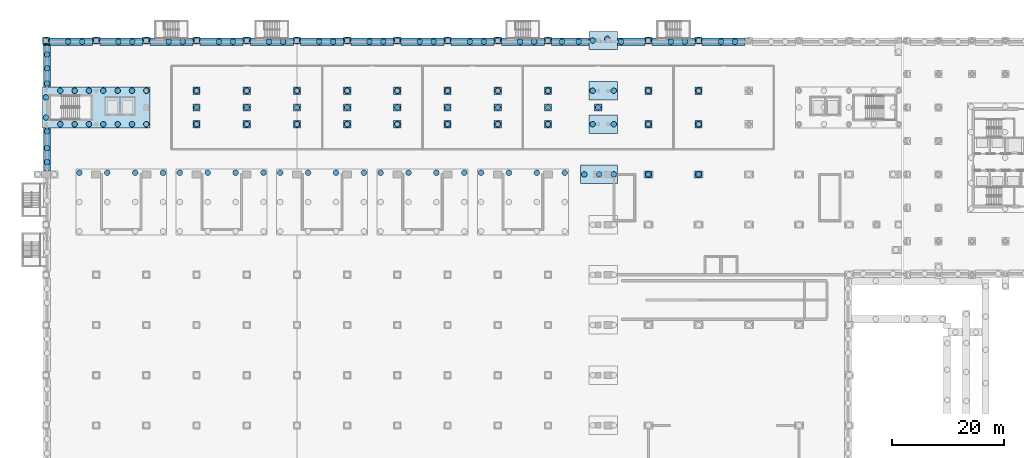
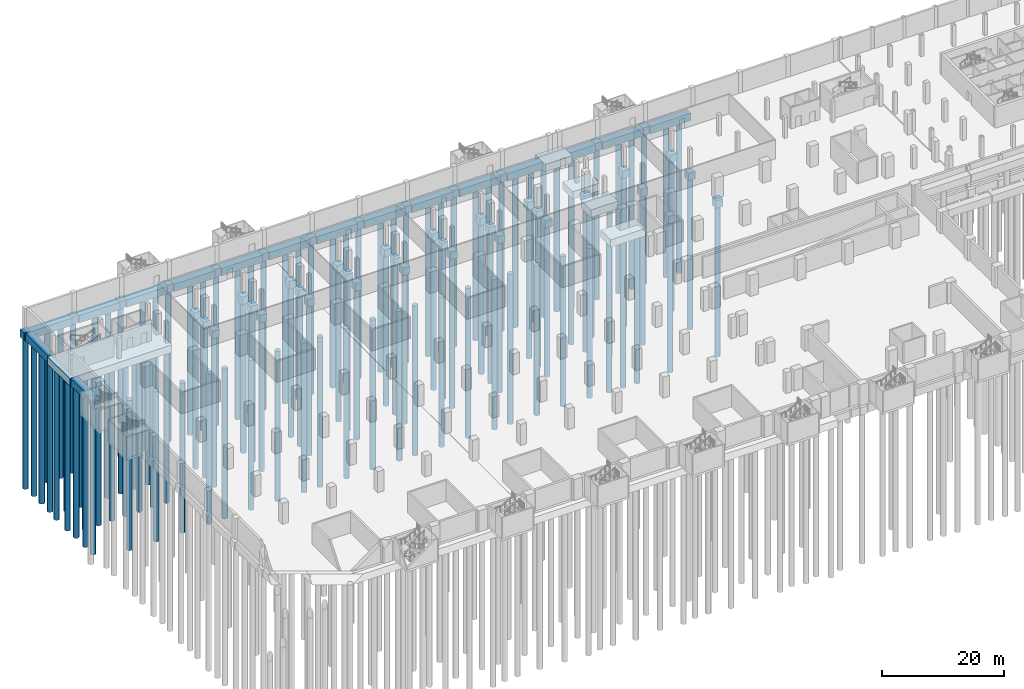
# One storey, part 3 of 29: 122 piles, 66 footings.
"""IFC4 building model written with IfcOpenShell, lengths in metres."""

from ifc_helpers import new_model, si_unit, direction, frame, origin, origin_2d, place, context, subcontext, project, spatial, rectangle, circle, extrude, material, material_profile, profile_set, type_object, element, save


model = new_model("IFC4")

# Units and contexts
model_context = context("Model", 3, precision=1e-05, world=origin(), true_north=direction((0.0, 1.0)))
body_context = subcontext(model_context, "Body", "Model", "MODEL_VIEW")
ifc_project = project(units=[si_unit("LENGTHUNIT", "METRE"), si_unit("AREAUNIT", "SQUARE_METRE"), si_unit("VOLUMEUNIT", "CUBIC_METRE"), si_unit("PLANEANGLEUNIT", "RADIAN"), si_unit("MASSUNIT", "GRAM", prefix="KILO")], contexts=[model_context])

# Site, building, storey
site_placement = place(None, origin())
site = spatial("IfcSite", under=ifc_project, at=site_placement, CompositionType="ELEMENT")
building_placement = place(site_placement, origin())
building = spatial("IfcBuilding", under=site, at=building_placement, Name="Aravalli Gate Trade Fair Centre", CompositionType="ELEMENT")
storey_placement = place(building_placement, frame((0.0, 0.0, -8.39990234375)))
storey = spatial("IfcBuildingStorey", under=building, at=storey_placement, Name="B2", CompositionType="ELEMENT", Elevation=-8.39990234375)

# Piles
ifc_material = material(Name="Concrete M35", Category="concrete")
ifc_material_profile = material_profile(ifc_material, circle(Radius=0.5, at=origin_2d()), Name="D1000")
ifc_profile_set = profile_set([ifc_material_profile], Name="Concrete M35")
pile_type = type_object("IfcPileType", Name="Basement bored pile D1000", PredefinedType="BORED", material=ifc_profile_set)
for number, where, z_axis, x_axis, name in (
    (1, (12.0, 109.300048828125, -1.900146484375), (0.0, 0.0, -1.0), (1.0, 0.0, 0.0), "Basement bored pile W193-03"),
    (2, (17.0, 109.300048828125, -1.900146484375), (0.0, 0.0, -1.0), (1.0, 0.0, 0.0), "Basement bored pile W193-06"),
    (3, (22.0, 109.300048828125, -1.900146484375), (0.0, 0.0, -1.0), (1.0, 0.0, 0.0), "Basement bored pile W193-09"),
    (4, (27.0, 109.300048828125, -1.900146484375), (0.0, 0.0, -1.0), (1.0, 0.0, 0.0), "Basement bored pile W193-12"),
    (5, (30.0, 109.300048828125, -1.900146484375), (0.0, 0.0, -1.0), (1.0, 0.0, 0.0), "Basement bored pile W194-03"),
    (6, (35.0, 109.300048828125, -1.900146484375), (0.0, 0.0, -1.0), (1.0, 0.0, 0.0), "Basement bored pile W194-06"),
    (7, (40.0, 109.300048828125, -1.900146484375), (0.0, 0.0, -1.0), (1.0, 0.0, 0.0), "Basement bored pile W194-09"),
    (8, (45.0, 109.300048828125, -1.900146484375), (0.0, 0.0, -1.0), (1.0, 0.0, 0.0), "Basement bored pile W194-12"),
    (9, (48.0, 109.300048828125, -1.900146484375), (0.0, 0.0, -1.0), (1.0, 0.0, 0.0), "Basement bored pile W195-03"),
    (10, (53.0, 109.300048828125, -1.900146484375), (0.0, 0.0, -1.0), (1.0, 0.0, 0.0), "Basement bored pile W195-06"),
    (11, (58.0, 109.300048828125, -1.900146484375), (0.0, 0.0, -1.0), (1.0, 0.0, 0.0), "Basement bored pile W195-09"),
    (12, (63.0, 109.300048828125, -1.900146484375), (0.0, 0.0, -1.0), (1.0, 0.0, 0.0), "Basement bored pile W195-12"),
    (13, (66.0, 109.300048828125, -1.900146484375), (0.0, 0.0, -1.0), (1.0, 0.0, 0.0), "Basement bored pile W196-03"),
    (14, (71.0, 109.300048828125, -1.900146484375), (0.0, 0.0, -1.0), (1.0, 0.0, 0.0), "Basement bored pile W196-06"),
    (15, (76.0, 109.300048828125, -1.900146484375), (0.0, 0.0, -1.0), (1.0, 0.0, 0.0), "Basement bored pile W196-09"),
    (16, (81.0, 109.300048828125, -1.900146484375), (0.0, 0.0, -1.0), (1.0, 0.0, 0.0), "Basement bored pile W196-12"),
    (17, (84.0, 109.300048828125, -1.900146484375), (0.0, 0.0, -1.0), (1.0, 0.0, 0.0), "Basement bored pile W197-03"),
    (18, (89.0, 109.300048828125, -1.900146484375), (0.0, 0.0, -1.0), (1.0, 0.0, 0.0), "Basement bored pile W197-06"),
    (19, (94.0, 109.300048828125, -1.900146484375), (0.0, 0.0, -1.0), (1.0, 0.0, 0.0), "Basement bored pile W197-09"),
    (20, (99.0, 109.300048828125, -1.900146484375), (0.0, 0.0, -1.0), (1.0, 0.0, 0.0), "Basement bored pile W197-12"),
    (21, (102.5, 109.0, -1.900146484375), (0.0, 0.0, -1.0), (1.0, 0.0, 0.0), "Basement bored pile W208-01"),
    (22, (105.14990234375, 109.0, -1.900146484375), (0.0, 0.0, -1.0), (1.0, 0.0, 0.0), "Basement bored pile W208-02"),
    (23, (107.800048828125, 109.0, -1.900146484375), (0.0, 0.0, -1.0), (1.0, 0.0, 0.0), "Basement bored pile W208-03"),
    (24, (114.0, 109.0, -1.900146484375), (0.0, 0.0, -1.0), (1.0, 0.0, 0.0), "Basement bored pile W210-01"),
    (25, (123.0, 109.0, -1.900146484375), (0.0, 0.0, -1.0), (1.0, 0.0, 0.0), "Basement bored pile W211-01"),
    (26, (6.199951171875, 111.199951171875, -1.900146484375), (0.0, 0.0, -1.0), (1.0, 0.0, 0.0), "Basement bored pile W216-01"),
    (27, (6.199951171875, 113.699951171875, -1.900146484375), (0.0, 0.0, -1.0), (1.0, 0.0, 0.0), "Basement bored pile W216-02"),
    (28, (6.199951171875, 116.699951171875, -1.900146484375), (0.0, 0.0, -1.0), (1.0, 0.0, 0.0), "Basement bored pile W216-03"),
    (29, (104.0, 118.0, -1.900146484375), (0.0, 0.0, -1.0), (1.0, 0.0, 0.0), "Basement bored pile W217-01"),
    (30, (107.800048828125, 118.0, -1.900146484375), (0.0, 0.0, -1.0), (1.0, 0.0, 0.0), "Basement bored pile W217-02"),
    (31, (6.0, 119.199951171875, -1.900146484375), (0.0, 0.0, -1.0), (1.0, 0.0, 0.0), "Basement bored pile W218-01"),
    (32, (6.0, 122.800048828125, -1.900146484375), (0.0, 0.0, -1.0), (1.0, 0.0, 0.0), "Basement bored pile W218-02"),
    (33, (8.5712890625, 118.0, -1.900146484375), (0.0, 0.0, -1.0), (1.0, 0.0, 0.0), "Basement bored pile W218-03"),
    (34, (8.5712890625, 124.0, -1.900146484375), (0.0, 0.0, -1.0), (1.0, 0.0, 0.0), "Basement bored pile W218-04"),
    (35, (11.142822265625, 118.0, -1.900146484375), (0.0, 0.0, -1.0), (1.0, 0.0, 0.0), "Basement bored pile W218-05"),
    (36, (11.142822265625, 124.0, -1.900146484375), (0.0, 0.0, -1.0), (1.0, 0.0, 0.0), "Basement bored pile W218-06"),
    (37, (13.71435546875, 118.0, -1.900146484375), (0.0, 0.0, -1.0), (1.0, 0.0, 0.0), "Basement bored pile W218-07"),
    (38, (13.71435546875, 124.0, -1.900146484375), (0.0, 0.0, -1.0), (1.0, 0.0, 0.0), "Basement bored pile W218-08"),
    (39, (16.28564453125, 118.0, -1.900146484375), (0.0, 0.0, -1.0), (1.0, 0.0, 0.0), "Basement bored pile W218-09"),
    (40, (16.28564453125, 124.0, -1.900146484375), (0.0, 0.0, -1.0), (1.0, 0.0, 0.0), "Basement bored pile W218-10"),
    (41, (18.857177734375, 118.0, -1.900146484375), (0.0, 0.0, -1.0), (1.0, 0.0, 0.0), "Basement bored pile W218-11"),
    (42, (18.857177734375, 124.0, -1.900146484375), (0.0, 0.0, -1.0), (1.0, 0.0, 0.0), "Basement bored pile W218-12"),
    (43, (21.4287109375, 118.0, -1.900146484375), (0.0, 0.0, -1.0), (1.0, 0.0, 0.0), "Basement bored pile W218-13"),
    (44, (21.4287109375, 124.0, -1.900146484375), (0.0, 0.0, -1.0), (1.0, 0.0, 0.0), "Basement bored pile W218-14"),
    (45, (24.0, 118.0, -1.900146484375), (0.0, 0.0, -1.0), (1.0, 0.0, 0.0), "Basement bored pile W218-15"),
    (46, (24.0, 124.0, -1.900146484375), (0.0, 0.0, -1.0), (1.0, 0.0, 0.0), "Basement bored pile W218-16"),
    (47, (33.0, 118.0, -1.900146484375), (0.0, 0.0, -1.0), (1.0, 0.0, 0.0), "Basement bored pile W219-01"),
    (48, (42.0, 118.0, -1.900146484375), (0.0, 0.0, -1.0), (1.0, 0.0, 0.0), "Basement bored pile W220-01"),
    (49, (51.0, 118.0, -1.900146484375), (0.0, 0.0, -1.0), (1.0, 0.0, 0.0), "Basement bored pile W221-01"),
    (50, (60.0, 118.0, -1.900146484375), (0.0, 0.0, -1.0), (1.0, 0.0, 0.0), "Basement bored pile W222-01"),
    (51, (69.0, 118.0, -1.900146484375), (0.0, 0.0, -1.0), (1.0, 0.0, 0.0), "Basement bored pile W223-01"),
    (52, (78.0, 118.0, -1.900146484375), (0.0, 0.0, -1.0), (1.0, 0.0, 0.0), "Basement bored pile W224-01"),
    (53, (87.0, 118.0, -1.900146484375), (0.0, 0.0, -1.0), (1.0, 0.0, 0.0), "Basement bored pile W225-01"),
    (54, (96.0, 118.0, -1.900146484375), (0.0, 0.0, -1.0), (1.0, 0.0, 0.0), "Basement bored pile W226-01"),
    (55, (114.0, 118.0, -1.900146484375), (0.0, 0.0, -1.0), (1.0, 0.0, 0.0), "Basement bored pile W227-01"),
    (56, (123.0, 118.0, -1.900146484375), (0.0, 0.0, -1.0), (1.0, 0.0, 0.0), "Basement bored pile W228-01"),
    (57, (33.0, 121.0, -1.900146484375), (0.0, 0.0, -1.0), (1.0, 0.0, 0.0), "Basement bored pile W231-01"),
    (58, (42.0, 121.0, -1.900146484375), (0.0, 0.0, -1.0), (1.0, 0.0, 0.0), "Basement bored pile W232-01"),
    (59, (51.0, 121.0, -1.900146484375), (0.0, 0.0, -1.0), (1.0, 0.0, 0.0), "Basement bored pile W233-01"),
    (60, (60.0, 121.0, -1.900146484375), (0.0, 0.0, -1.0), (1.0, 0.0, 0.0), "Basement bored pile W234-01"),
    (61, (69.0, 121.0, -1.900146484375), (0.0, 0.0, -1.0), (1.0, 0.0, 0.0), "Basement bored pile W235-01"),
    (62, (78.0, 121.0, -1.900146484375), (0.0, 0.0, -1.0), (1.0, 0.0, 0.0), "Basement bored pile W236-01"),
    (63, (87.0, 121.0, -1.900146484375), (0.0, 0.0, -1.0), (1.0, 0.0, 0.0), "Basement bored pile W237-01"),
    (64, (96.0, 121.0, -1.900146484375), (0.0, 0.0, -1.0), (1.0, 0.0, 0.0), "Basement bored pile W238-01"),
    (65, (105.0, 121.0, -1.900146484375), (0.0, 0.0, -1.0), (1.0, 0.0, 0.0), "Basement bored pile W239-01"),
    (66, (104.0, 124.0, -1.900146484375), (0.0, 0.0, -1.0), (1.0, 0.0, 0.0), "Basement bored pile W240-01"),
    (67, (107.800048828125, 124.0, -1.900146484375), (0.0, 0.0, -1.0), (1.0, 0.0, 0.0), "Basement bored pile W240-02"),
    (68, (33.0, 124.0, -1.900146484375), (0.0, 0.0, -1.0), (1.0, 0.0, 0.0), "Basement bored pile W241-01"),
    (69, (42.0, 124.0, -1.900146484375), (0.0, 0.0, -1.0), (1.0, 0.0, 0.0), "Basement bored pile W242-01"),
    (70, (51.0, 124.0, -1.900146484375), (0.0, 0.0, -1.0), (1.0, 0.0, 0.0), "Basement bored pile W243-01"),
    (71, (60.0, 124.0, -1.900146484375), (0.0, 0.0, -1.0), (1.0, 0.0, 0.0), "Basement bored pile W244-01"),
    (72, (69.0, 124.0, -1.900146484375), (0.0, 0.0, -1.0), (1.0, 0.0, 0.0), "Basement bored pile W245-01"),
    (73, (78.0, 124.0, -1.900146484375), (0.0, 0.0, -1.0), (1.0, 0.0, 0.0), "Basement bored pile W246-01"),
    (74, (87.0, 124.0, -1.900146484375), (0.0, 0.0, -1.0), (1.0, 0.0, 0.0), "Basement bored pile W247-01"),
    (75, (96.0, 124.0, -1.900146484375), (0.0, 0.0, -1.0), (1.0, 0.0, 0.0), "Basement bored pile W248-01"),
    (76, (114.0, 124.0, -1.900146484375), (0.0, 0.0, -1.0), (1.0, 0.0, 0.0), "Basement bored pile W249-01"),
    (77, (123.0, 124.0, -1.900146484375), (0.0, 0.0, -1.0), (1.0, 0.0, 0.0), "Basement bored pile W250-01"),
    (78, (6.199951171875, 125.300048828125, -1.900146484375), (0.0, 0.0, -1.0), (1.0, 0.0, 0.0), "Basement bored pile W252-01"),
    (79, (6.199951171875, 128.0, -1.900146484375), (0.0, 0.0, -1.0), (1.0, 0.0, 0.0), "Basement bored pile W252-02"),
    (80, (6.199951171875, 130.5, -1.900146484375), (0.0, 0.0, -1.0), (1.0, 0.0, 0.0), "Basement bored pile W252-03"),
    (81, (104.0, 133.0, -1.900146484375), (0.0, 0.0, -1.0), (1.0, 0.0, 0.0), "Basement bored pile W259-01"),
    (82, (106.64990234375, 133.300048828125, -1.900146484375), (0.0, 0.0, -1.0), (1.0, 0.0, 0.0), "Basement bored pile W259-02"),
    (83, (10.0, 132.800048828125, -1.900146484375), (0.0, 0.0, -1.0), (1.0, 0.0, 0.0), "Basement bored pile W260-01"),
    (84, (12.5, 132.800048828125, -1.900146484375), (0.0, 0.0, -1.0), (1.0, 0.0, 0.0), "Basement bored pile W260-02"),
    (85, (19.0, 132.800048828125, -1.900146484375), (0.0, 0.0, -1.0), (1.0, 0.0, 0.0), "Basement bored pile W261-01"),
    (86, (21.5, 132.800048828125, -1.900146484375), (0.0, 0.0, -1.0), (1.0, 0.0, 0.0), "Basement bored pile W261-02"),
    (87, (28.0, 132.800048828125, -1.900146484375), (0.0, 0.0, -1.0), (1.0, 0.0, 0.0), "Basement bored pile W262-01"),
    (88, (30.5, 132.800048828125, -1.900146484375), (0.0, 0.0, -1.0), (1.0, 0.0, 0.0), "Basement bored pile W262-02"),
    (89, (37.0, 132.800048828125, -1.900146484375), (0.0, 0.0, -1.0), (1.0, 0.0, 0.0), "Basement bored pile W263-01"),
    (90, (39.5, 132.800048828125, -1.900146484375), (0.0, 0.0, -1.0), (1.0, 0.0, 0.0), "Basement bored pile W263-02"),
    (91, (46.0, 132.800048828125, -1.900146484375), (0.0, 0.0, -1.0), (1.0, 0.0, 0.0), "Basement bored pile W264-01"),
    (92, (48.5, 132.800048828125, -1.900146484375), (0.0, 0.0, -1.0), (1.0, 0.0, 0.0), "Basement bored pile W264-02"),
    (93, (55.0, 132.800048828125, -1.900146484375), (0.0, 0.0, -1.0), (1.0, 0.0, 0.0), "Basement bored pile W265-01"),
    (94, (57.5, 132.800048828125, -1.900146484375), (0.0, 0.0, -1.0), (1.0, 0.0, 0.0), "Basement bored pile W265-02"),
    (95, (64.0, 132.800048828125, -1.900146484375), (0.0, 0.0, -1.0), (1.0, 0.0, 0.0), "Basement bored pile W266-01"),
    (96, (66.5, 132.800048828125, -1.900146484375), (0.0, 0.0, -1.0), (1.0, 0.0, 0.0), "Basement bored pile W266-02"),
    (97, (73.0, 132.800048828125, -1.900146484375), (0.0, 0.0, -1.0), (1.0, 0.0, 0.0), "Basement bored pile W267-01"),
    (98, (75.5, 132.800048828125, -1.900146484375), (0.0, 0.0, -1.0), (1.0, 0.0, 0.0), "Basement bored pile W267-02"),
    (99, (82.0, 132.800048828125, -1.900146484375), (0.0, 0.0, -1.0), (1.0, 0.0, 0.0), "Basement bored pile W268-01"),
    (100, (84.5, 132.800048828125, -1.900146484375), (0.0, 0.0, -1.0), (1.0, 0.0, 0.0), "Basement bored pile W268-02"),
    (101, (91.0, 132.800048828125, -1.900146484375), (0.0, 0.0, -1.0), (1.0, 0.0, 0.0), "Basement bored pile W269-01"),
    (102, (93.5, 132.800048828125, -1.900146484375), (0.0, 0.0, -1.0), (1.0, 0.0, 0.0), "Basement bored pile W269-02"),
    (103, (98.5, 132.800048828125, -1.900146484375), (0.0, 0.0, -1.0), (1.0, 0.0, 0.0), "Basement bored pile W270-01"),
    (104, (101.5, 132.800048828125, -1.900146484375), (0.0, 0.0, -1.0), (1.0, 0.0, 0.0), "Basement bored pile W270-02"),
    (105, (109.10009765625, 132.800048828125, -1.900146484375), (0.0, 0.0, -1.0), (1.0, 0.0, 0.0), "Basement bored pile W271-01"),
    (106, (118.0, 132.800048828125, -1.900146484375), (0.0, 0.0, -1.0), (1.0, 0.0, 0.0), "Basement bored pile W272-01"),
    (107, (120.5, 132.800048828125, -1.900146484375), (0.0, 0.0, -1.0), (1.0, 0.0, 0.0), "Basement bored pile W272-02"),
    (108, (127.0, 132.800048828125, -1.900146484375), (0.0, 0.0, -1.0), (1.0, 0.0, 0.0), "Basement bored pile W273-01"),
    (109, (129.5, 132.800048828125, -1.900146484375), (0.0, 0.0, -1.0), (1.0, 0.0, 0.0), "Basement bored pile W273-02"),
    (110, (6.0, 133.0, -1.900146484375), (0.0, 0.0, -1.0), (1.0, 0.0, 0.0), "Basement bored pile W277-01"),
    (111, (15.0, 133.0, -1.900146484375), (0.0, 0.0, -1.0), (1.0, 0.0, 0.0), "Basement bored pile W278-01"),
    (112, (24.0, 133.0, -1.900146484375), (0.0, 0.0, -1.0), (1.0, 0.0, 0.0), "Basement bored pile W279-01"),
    (113, (33.0, 133.0, -1.900146484375), (0.0, 0.0, -1.0), (1.0, 0.0, 0.0), "Basement bored pile W280-01"),
    (114, (42.0, 133.0, -1.900146484375), (0.0, 0.0, -1.0), (1.0, 0.0, 0.0), "Basement bored pile W281-01"),
    (115, (51.0, 133.0, -1.900146484375), (0.0, 0.0, -1.0), (1.0, 0.0, 0.0), "Basement bored pile W282-01"),
    (116, (60.0, 133.0, -1.900146484375), (0.0, 0.0, -1.0), (1.0, 0.0, 0.0), "Basement bored pile W283-01"),
    (117, (69.0, 133.0, -1.900146484375), (0.0, 0.0, -1.0), (1.0, 0.0, 0.0), "Basement bored pile W284-01"),
    (118, (78.0, 133.0, -1.900146484375), (0.0, 0.0, -1.0), (1.0, 0.0, 0.0), "Basement bored pile W285-01"),
    (119, (87.0, 133.0, -1.900146484375), (0.0, 0.0, -1.0), (1.0, 0.0, 0.0), "Basement bored pile W286-01"),
    (120, (96.0, 133.0, -1.900146484375), (0.0, 0.0, -1.0), (1.0, 0.0, 0.0), "Basement bored pile W287-01"),
    (121, (114.0, 133.0, -1.900146484375), (0.0, 0.0, -1.0), (1.0, 0.0, 0.0), "Basement bored pile W288-01"),
    (122, (123.0, 133.0, -1.900146484375), (0.0, 0.0, -1.0), (1.0, 0.0, 0.0), "Basement bored pile W289-01"),
):
    element("IfcPile", number, at=place(storey_placement, frame(where, z_axis=z_axis, x_axis=x_axis)), inside=storey, type_object=pile_type, Name=name, PredefinedType="BORED", context=body_context, shape_type="SweptSolid", body=[
        extrude(circle(Radius=0.5, at=origin_2d()), origin(), (0.0, 0.0, 1.0), 30.0),
    ])

# Footings
footing_type_1 = type_object("IfcFootingType", Name="Basement ground beam 1.1 x 0.2", PredefinedType="FOOTING_BEAM", material=ifc_material)
footing_1_placement = place(storey_placement, frame((6.10009765625, 132.25, -1.900146484375), z_axis=(0.0, 0.0, 1.0), x_axis=(1.0, 0.0, 0.0)))
element("IfcFooting", 123, at=footing_1_placement, inside=storey, type_object=footing_type_1, Name="Basement pile cap W304", PredefinedType="FOOTING_BEAM", context=body_context, shape_type="SweptSolid", body=[
    extrude(rectangle(XDim=1.10009765625, YDim=0.199951171875, at=origin_2d()), origin(), (0.0, 0.0, 1.0), 1.5),
])
footing_type_2 = type_object("IfcFootingType", Name="Basement pile cap 1.3 x 1.3 (1 x 1 piles)", PredefinedType="PILE_CAP", material=ifc_material)
for number, where, z_axis, x_axis, name in (
    (124, (114.0, 109.0, -1.900146484375), (0.0, 0.0, 1.0), (1.0, 0.0, 0.0), "Basement pile cap W210"),
    (125, (123.0, 109.0, -1.900146484375), (0.0, 0.0, 1.0), (1.0, 0.0, 0.0), "Basement pile cap W211"),
    (126, (33.0, 118.0, -1.900146484375), (0.0, 0.0, 1.0), (1.0, 0.0, 0.0), "Basement pile cap W219"),
    (127, (42.0, 118.0, -1.900146484375), (0.0, 0.0, 1.0), (1.0, 0.0, 0.0), "Basement pile cap W220"),
    (128, (51.0, 118.0, -1.900146484375), (0.0, 0.0, 1.0), (1.0, 0.0, 0.0), "Basement pile cap W221"),
    (129, (60.0, 118.0, -1.900146484375), (0.0, 0.0, 1.0), (1.0, 0.0, 0.0), "Basement pile cap W222"),
    (130, (69.0, 118.0, -1.900146484375), (0.0, 0.0, 1.0), (1.0, 0.0, 0.0), "Basement pile cap W223"),
    (131, (78.0, 118.0, -1.900146484375), (0.0, 0.0, 1.0), (1.0, 0.0, 0.0), "Basement pile cap W224"),
    (132, (87.0, 118.0, -1.900146484375), (0.0, 0.0, 1.0), (1.0, 0.0, 0.0), "Basement pile cap W225"),
    (133, (96.0, 118.0, -1.900146484375), (0.0, 0.0, 1.0), (1.0, 0.0, 0.0), "Basement pile cap W226"),
    (134, (114.0, 118.0, -1.900146484375), (0.0, 0.0, 1.0), (1.0, 0.0, 0.0), "Basement pile cap W227"),
    (135, (123.0, 118.0, -1.900146484375), (0.0, 0.0, 1.0), (1.0, 0.0, 0.0), "Basement pile cap W228"),
    (136, (33.0, 121.0, -1.900146484375), (0.0, 0.0, 1.0), (1.0, 0.0, 0.0), "Basement pile cap W231"),
    (137, (42.0, 121.0, -1.900146484375), (0.0, 0.0, 1.0), (1.0, 0.0, 0.0), "Basement pile cap W232"),
    (138, (51.0, 121.0, -1.900146484375), (0.0, 0.0, 1.0), (1.0, 0.0, 0.0), "Basement pile cap W233"),
    (139, (60.0, 121.0, -1.900146484375), (0.0, 0.0, 1.0), (1.0, 0.0, 0.0), "Basement pile cap W234"),
    (140, (69.0, 121.0, -1.900146484375), (0.0, 0.0, 1.0), (1.0, 0.0, 0.0), "Basement pile cap W235"),
    (141, (78.0, 121.0, -1.900146484375), (0.0, 0.0, 1.0), (1.0, 0.0, 0.0), "Basement pile cap W236"),
    (142, (87.0, 121.0, -1.900146484375), (0.0, 0.0, 1.0), (1.0, 0.0, 0.0), "Basement pile cap W237"),
    (143, (96.0, 121.0, -1.900146484375), (0.0, 0.0, 1.0), (1.0, 0.0, 0.0), "Basement pile cap W238"),
    (144, (105.0, 121.0, -1.900146484375), (0.0, 0.0, 1.0), (1.0, 0.0, 0.0), "Basement pile cap W239"),
    (145, (33.0, 124.0, -1.900146484375), (0.0, 0.0, 1.0), (1.0, 0.0, 0.0), "Basement pile cap W241"),
    (146, (42.0, 124.0, -1.900146484375), (0.0, 0.0, 1.0), (1.0, 0.0, 0.0), "Basement pile cap W242"),
    (147, (51.0, 124.0, -1.900146484375), (0.0, 0.0, 1.0), (1.0, 0.0, 0.0), "Basement pile cap W243"),
    (148, (60.0, 124.0, -1.900146484375), (0.0, 0.0, 1.0), (1.0, 0.0, 0.0), "Basement pile cap W244"),
    (149, (69.0, 124.0, -1.900146484375), (0.0, 0.0, 1.0), (1.0, 0.0, 0.0), "Basement pile cap W245"),
    (150, (78.0, 124.0, -1.900146484375), (0.0, 0.0, 1.0), (1.0, 0.0, 0.0), "Basement pile cap W246"),
    (151, (87.0, 124.0, -1.900146484375), (0.0, 0.0, 1.0), (1.0, 0.0, 0.0), "Basement pile cap W247"),
    (152, (96.0, 124.0, -1.900146484375), (0.0, 0.0, 1.0), (1.0, 0.0, 0.0), "Basement pile cap W248"),
    (153, (114.0, 124.0, -1.900146484375), (0.0, 0.0, 1.0), (1.0, 0.0, 0.0), "Basement pile cap W249"),
    (154, (123.0, 124.0, -1.900146484375), (0.0, 0.0, 1.0), (1.0, 0.0, 0.0), "Basement pile cap W250"),
    (155, (6.0, 133.0, -1.900146484375), (0.0, 0.0, 1.0), (1.0, 0.0, 0.0), "Basement pile cap W277"),
    (156, (15.0, 133.0, -1.900146484375), (0.0, 0.0, 1.0), (1.0, 0.0, 0.0), "Basement pile cap W278"),
    (157, (24.0, 133.0, -1.900146484375), (0.0, 0.0, 1.0), (1.0, 0.0, 0.0), "Basement pile cap W279"),
    (158, (33.0, 133.0, -1.900146484375), (0.0, 0.0, 1.0), (1.0, 0.0, 0.0), "Basement pile cap W280"),
    (159, (42.0, 133.0, -1.900146484375), (0.0, 0.0, 1.0), (1.0, 0.0, 0.0), "Basement pile cap W281"),
    (160, (51.0, 133.0, -1.900146484375), (0.0, 0.0, 1.0), (1.0, 0.0, 0.0), "Basement pile cap W282"),
    (161, (60.0, 133.0, -1.900146484375), (0.0, 0.0, 1.0), (1.0, 0.0, 0.0), "Basement pile cap W283"),
    (162, (69.0, 133.0, -1.900146484375), (0.0, 0.0, 1.0), (1.0, 0.0, 0.0), "Basement pile cap W284"),
    (163, (78.0, 133.0, -1.900146484375), (0.0, 0.0, 1.0), (1.0, 0.0, 0.0), "Basement pile cap W285"),
    (164, (87.0, 133.0, -1.900146484375), (0.0, 0.0, 1.0), (1.0, 0.0, 0.0), "Basement pile cap W286"),
    (165, (96.0, 133.0, -1.900146484375), (0.0, 0.0, 1.0), (1.0, 0.0, 0.0), "Basement pile cap W287"),
    (166, (114.0, 133.0, -1.900146484375), (0.0, 0.0, 1.0), (1.0, 0.0, 0.0), "Basement pile cap W288"),
    (167, (123.0, 133.0, -1.900146484375), (0.0, 0.0, 1.0), (1.0, 0.0, 0.0), "Basement pile cap W289"),
):
    element("IfcFooting", number, at=place(storey_placement, frame(where, z_axis=z_axis, x_axis=x_axis)), inside=storey, type_object=footing_type_2, Name=name, PredefinedType="PILE_CAP", context=body_context, shape_type="SweptSolid", body=[
        extrude(rectangle(XDim=1.300048828125, YDim=1.300048828125, at=origin_2d()), origin(), (0.0, 0.0, 1.0), 1.5),
    ])
footing_type_3 = type_object("IfcFootingType", Name="Basement pile cap 1.3 x 7.5 (1 x 3 piles)", PredefinedType="PILE_CAP", material=ifc_material)
footing_2_placement = place(storey_placement, frame((6.199951171875, 128.39990234375, -1.900146484375), z_axis=(0.0, 0.0, 1.0), x_axis=(1.0, 0.0, 0.0)))
element("IfcFooting", 168, at=footing_2_placement, inside=storey, type_object=footing_type_3, Name="Basement pile cap W252", PredefinedType="PILE_CAP", context=body_context, shape_type="SweptSolid", body=[
    extrude(rectangle(XDim=1.300048828125, YDim=7.5, at=origin_2d()), origin(), (0.0, 0.0, 1.0), 1.5),
])
footing_type_4 = type_object("IfcFootingType", Name="Basement pile cap 1.3 x 7.7 (1 x 3 piles)", PredefinedType="PILE_CAP", material=ifc_material)
footing_3_placement = place(storey_placement, frame((6.199951171875, 113.5, -1.900146484375), z_axis=(0.0, 0.0, 1.0), x_axis=(1.0, 0.0, 0.0)))
element("IfcFooting", 169, at=footing_3_placement, inside=storey, type_object=footing_type_4, Name="Basement pile cap W216", PredefinedType="PILE_CAP", context=body_context, shape_type="SweptSolid", body=[
    extrude(rectangle(XDim=1.300048828125, YDim=7.699951171875, at=origin_2d()), origin(), (0.0, 0.0, 1.0), 1.5),
])
footing_type_5 = type_object("IfcFootingType", Name="Basement pile cap 19.3 x 7.3 (8 x 2 piles)", PredefinedType="PILE_CAP", material=ifc_material)
footing_4_placement = place(storey_placement, frame((15.0, 121.0, -1.900146484375), z_axis=(0.0, 0.0, 1.0), x_axis=(1.0, 0.0, 0.0)))
element("IfcFooting", 170, at=footing_4_placement, inside=storey, type_object=footing_type_5, Name="Basement pile cap W218", PredefinedType="PILE_CAP", context=body_context, shape_type="SweptSolid", body=[
    extrude(rectangle(XDim=19.300048828125, YDim=7.300048828125, at=origin_2d()), origin(), (0.0, 0.0, 1.0), 1.5),
])
footing_type_6 = type_object("IfcFootingType", Name="Basement pile cap 4.9 x 1.3 (1 x 1 piles)", PredefinedType="PILE_CAP", material=ifc_material)
footing_5_placement = place(storey_placement, frame((110.89990234375, 132.800048828125, -1.900146484375), z_axis=(0.0, 0.0, 1.0), x_axis=(1.0, 0.0, 0.0)))
element("IfcFooting", 171, at=footing_5_placement, inside=storey, type_object=footing_type_6, Name="Basement pile cap W271", PredefinedType="PILE_CAP", context=body_context, shape_type="SweptSolid", body=[
    extrude(rectangle(XDim=4.89990234375, YDim=1.300048828125, at=origin_2d()), origin(), (0.0, 0.0, 1.0), 1.5),
])
footing_type_7 = type_object("IfcFootingType", Name="Basement pile cap 5.1 x 3.3 (2 x 1 piles)", PredefinedType="PILE_CAP", material=ifc_material)
for number, where, z_axis, x_axis, name in (
    (172, (105.89990234375, 118.0, -1.900146484375), (0.0, 0.0, 1.0), (1.0, 0.0, 0.0), "Basement pile cap W217"),
    (173, (105.89990234375, 124.0, -1.900146484375), (0.0, 0.0, 1.0), (1.0, 0.0, 0.0), "Basement pile cap W240"),
    (174, (105.89990234375, 133.0, -1.900146484375), (0.0, 0.0, 1.0), (1.0, 0.0, 0.0), "Basement pile cap W259"),
):
    element("IfcFooting", number, at=place(storey_placement, frame(where, z_axis=z_axis, x_axis=x_axis)), inside=storey, type_object=footing_type_7, Name=name, PredefinedType="PILE_CAP", context=body_context, shape_type="SweptSolid", body=[
        extrude(rectangle(XDim=5.10009765625, YDim=3.300048828125, at=origin_2d()), origin(), (0.0, 0.0, 1.0), 1.5),
    ])
footing_type_8 = type_object("IfcFootingType", Name="Basement pile cap 6.6 x 3.3 (3 x 1 piles)", PredefinedType="PILE_CAP", material=ifc_material)
footing_6_placement = place(storey_placement, frame((105.14990234375, 109.0, -1.900146484375), z_axis=(0.0, 0.0, 1.0), x_axis=(1.0, 0.0, 0.0)))
element("IfcFooting", 175, at=footing_6_placement, inside=storey, type_object=footing_type_8, Name="Basement pile cap W208", PredefinedType="PILE_CAP", context=body_context, shape_type="SweptSolid", body=[
    extrude(rectangle(XDim=6.60009765625, YDim=3.300048828125, at=origin_2d()), origin(), (0.0, 0.0, 1.0), 1.5),
])
footing_type_9 = type_object("IfcFootingType", Name="Basement pile cap 6.7 x 1.3 (2 x 1 piles)", PredefinedType="PILE_CAP", material=ifc_material)
footing_7_placement = place(storey_placement, frame((100.0, 132.800048828125, -1.900146484375), z_axis=(0.0, 0.0, 1.0), x_axis=(1.0, 0.0, 0.0)))
element("IfcFooting", 176, at=footing_7_placement, inside=storey, type_object=footing_type_9, Name="Basement pile cap W270", PredefinedType="PILE_CAP", context=body_context, shape_type="SweptSolid", body=[
    extrude(rectangle(XDim=6.699951171875, YDim=1.300048828125, at=origin_2d()), origin(), (0.0, 0.0, 1.0), 1.5),
])
footing_type_10 = type_object("IfcFootingType", Name="Basement pile cap 7.7 x 1.3 (2 x 1 piles)", PredefinedType="PILE_CAP", material=ifc_material)
for number, where, z_axis, x_axis, name in (
    (177, (10.5, 132.800048828125, -1.900146484375), (0.0, 0.0, 1.0), (1.0, 0.0, 0.0), "Basement pile cap W260"),
    (178, (19.5, 132.800048828125, -1.900146484375), (0.0, 0.0, 1.0), (1.0, 0.0, 0.0), "Basement pile cap W261"),
    (179, (28.5, 132.800048828125, -1.900146484375), (0.0, 0.0, 1.0), (1.0, 0.0, 0.0), "Basement pile cap W262"),
    (180, (37.5, 132.800048828125, -1.900146484375), (0.0, 0.0, 1.0), (1.0, 0.0, 0.0), "Basement pile cap W263"),
    (181, (46.5, 132.800048828125, -1.900146484375), (0.0, 0.0, 1.0), (1.0, 0.0, 0.0), "Basement pile cap W264"),
    (182, (55.5, 132.800048828125, -1.900146484375), (0.0, 0.0, 1.0), (1.0, 0.0, 0.0), "Basement pile cap W265"),
    (183, (64.5, 132.800048828125, -1.900146484375), (0.0, 0.0, 1.0), (1.0, 0.0, 0.0), "Basement pile cap W266"),
    (184, (73.5, 132.800048828125, -1.900146484375), (0.0, 0.0, 1.0), (1.0, 0.0, 0.0), "Basement pile cap W267"),
    (185, (82.5, 132.800048828125, -1.900146484375), (0.0, 0.0, 1.0), (1.0, 0.0, 0.0), "Basement pile cap W268"),
    (186, (91.5, 132.800048828125, -1.900146484375), (0.0, 0.0, 1.0), (1.0, 0.0, 0.0), "Basement pile cap W269"),
    (187, (118.5, 132.800048828125, -1.900146484375), (0.0, 0.0, 1.0), (1.0, 0.0, 0.0), "Basement pile cap W272"),
    (188, (127.5, 132.800048828125, -1.900146484375), (0.0, 0.0, 1.0), (1.0, 0.0, 0.0), "Basement pile cap W273"),
):
    element("IfcFooting", number, at=place(storey_placement, frame(where, z_axis=z_axis, x_axis=x_axis)), inside=storey, type_object=footing_type_10, Name=name, PredefinedType="PILE_CAP", context=body_context, shape_type="SweptSolid", body=[
        extrude(rectangle(XDim=7.699951171875, YDim=1.300048828125, at=origin_2d()), origin(), (0.0, 0.0, 1.0), 1.5),
    ])

save(model, "model.ifc")
